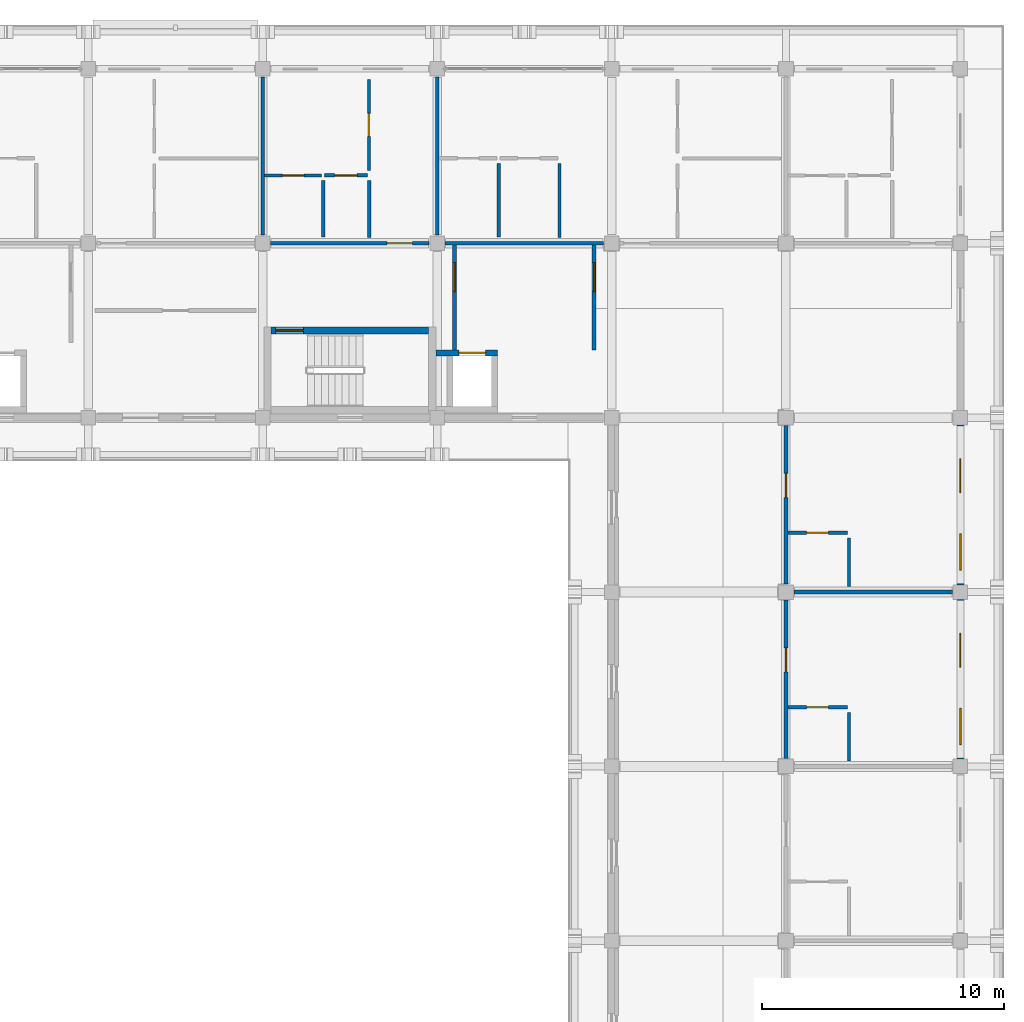
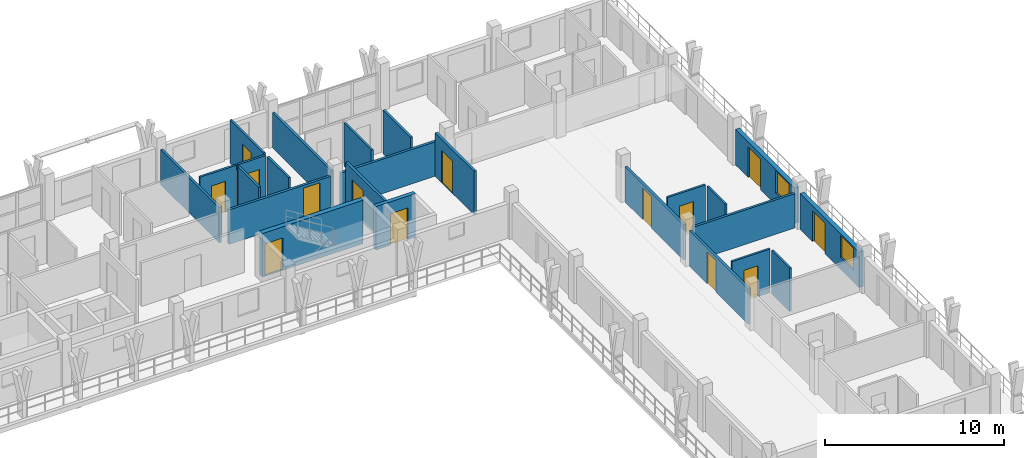
# One storey, part 136 of 157: 24 walls, 14 doors, 2 windows, 16 openings.
"""IFC4 building model written with IfcOpenShell, lengths in metres."""

import ifcopenshell
import ifcopenshell.guid

model = None  # the IFC model being written
_history = None  # IfcOwnerHistory: only IFC2X3 demands one
_inside = {}  # id of a spatial element -> (the spatial element, [elements in it])
_under = {}  # id of a project, library or spatial element -> (it, [spatial elements below it])
_declared = {}  # id of a project -> (the project, [libraries it declares])
_typed = {}  # id of a type object -> (the type object, [elements of that type])
_made_of = {}  # id of a material, layer set ... -> (it, [elements and type objects made of it])


def new_model(schema):
    """Start an empty IFC model of exactly this schema.

    Asked for "IFC4X3", IfcOpenShell would pick the latest addendum, in which some entities
    have other attributes; the version numbers below select the first issue.
    IFC2X3 requires an IfcOwnerHistory on every rooted entity: one is made here for all.
    """
    global model, _history
    if schema == "IFC4X3":
        model = ifcopenshell.file(schema_version=(4, 3, 0, 0))
    else:
        model = ifcopenshell.file(schema=schema)
    _inside.clear()
    _under.clear()
    _declared.clear()
    _typed.clear()
    _made_of.clear()
    _history = None
    if model.schema == "IFC2X3":
        org = make("IfcOrganization", Name="unknown")
        user = make(
            "IfcPersonAndOrganization",
            ThePerson=make("IfcPerson", FamilyName="unknown"),
            TheOrganization=org,
        )
        app = make(
            "IfcApplication",
            ApplicationDeveloper=org,
            Version="unknown",
            ApplicationFullName="unknown",
            ApplicationIdentifier="unknown",
        )
        _history = make(
            "IfcOwnerHistory",
            OwningUser=user,
            OwningApplication=app,
            ChangeAction="ADDED",
            CreationDate=0,
        )
    return model


def make(cls, **values):
    """One entity of the class cls with the attributes given. An attribute that is None is left unset."""
    return model.create_entity(
        cls, **{name: value for name, value in values.items() if value is not None}
    )


def rooted(cls, **values):
    """An entity with a GlobalId (a new one), such as an element, a storey or a relation."""
    return make(cls, GlobalId=ifcopenshell.guid.new(), OwnerHistory=_history, **values)


def si_unit(unit_type, name, prefix=None):
    """IfcSIUnit, for example si_unit("LENGTHUNIT", "METRE", prefix="MILLI")."""
    return make("IfcSIUnit", UnitType=unit_type, Prefix=prefix, Name=name)


def assignment(units):
    """IfcUnitAssignment: the units of a project."""
    return None if units is None else make("IfcUnitAssignment", Units=units)


def point(xyz):
    """IfcCartesianPoint."""
    return None if xyz is None else make("IfcCartesianPoint", Coordinates=xyz)


def direction(xyz):
    """IfcDirection."""
    return None if xyz is None else make("IfcDirection", DirectionRatios=xyz)


def frame(location, z_axis=None, x_axis=None):
    """IfcAxis2Placement3D, a coordinate frame: its origin and axes. An axis left out is left unset."""
    return make(
        "IfcAxis2Placement3D",
        Location=point(location),
        Axis=direction(z_axis),
        RefDirection=direction(x_axis),
    )


def frame_2d(location, x_axis=None):
    """IfcAxis2Placement2D, a coordinate frame in the plane: its origin and x axis."""
    return make(
        "IfcAxis2Placement2D", Location=point(location), RefDirection=direction(x_axis)
    )


def origin():
    """The frame at (0, 0, 0) with its axes left unset."""
    return frame((0.0, 0.0, 0.0))


def place(relative_to, where):
    """IfcLocalPlacement: puts the frame where relative to a parent placement (None: the world)."""
    return make(
        "IfcLocalPlacement", PlacementRelTo=relative_to, RelativePlacement=where
    )


def context(
    kind, dimensions, precision=None, world=None, true_north=None, identifier=None
):
    """IfcGeometricRepresentationContext, for example the 3D "Model" context."""
    return make(
        "IfcGeometricRepresentationContext",
        ContextIdentifier=identifier,
        ContextType=kind,
        CoordinateSpaceDimension=dimensions,
        Precision=precision,
        WorldCoordinateSystem=world,
        TrueNorth=true_north,
    )


def subcontext(parent, identifier, kind, view, scale=None):
    """IfcGeometricRepresentationSubContext, for example "Body" below "Model"."""
    return make(
        "IfcGeometricRepresentationSubContext",
        ContextIdentifier=identifier,
        ContextType=kind,
        ParentContext=parent,
        TargetScale=scale,
        TargetView=view,
    )


def project(units=None, contexts=None):
    """IfcProject with its units and contexts."""
    return rooted(
        "IfcProject",
        Name="project",
        RepresentationContexts=contexts,
        UnitsInContext=assignment(units),
    )


def spatial(cls, under=None, at=None, **own):
    """A site, building, storey or space (cls), placed at a placement, below another one or the project."""
    s = rooted(cls, ObjectPlacement=at, **own)
    if under is not None:
        _under.setdefault(under.id(), (under, []))[1].append(s)
    return s


def profile(cls, at=None, kind="AREA", **sizes):
    """A parametric profile (cls). Its sizes go by their IFC names, for example OverallWidth=200.0."""
    return make(cls, ProfileType=kind, Position=at, **sizes)


def rectangle(**sizes):
    """IfcRectangleProfileDef."""
    return profile("IfcRectangleProfileDef", **sizes)


def extrude(swept, where, along, depth):
    """IfcExtrudedAreaSolid: the profile swept, set in the frame where, extruded along a direction by depth."""
    return make(
        "IfcExtrudedAreaSolid",
        SweptArea=swept,
        Position=where,
        ExtrudedDirection=direction(along),
        Depth=depth,
    )


def shape(context_of_items, identifier, shape_type, items):
    """IfcShapeRepresentation: the items that make up one representation, for example the "Body"."""
    return make(
        "IfcShapeRepresentation",
        ContextOfItems=context_of_items,
        RepresentationIdentifier=identifier,
        RepresentationType=shape_type,
        Items=items,
    )


def material(Name=None, Category=None):
    """IfcMaterial."""
    return make("IfcMaterial", Name=Name, Category=Category)


def layer(
    of_material, thickness, ventilated=None, Name=None, Category=None, Priority=None
):
    """IfcMaterialLayer: one layer of a wall or slab, of a material (None: an air gap)."""
    return make(
        "IfcMaterialLayer",
        Material=of_material,
        LayerThickness=thickness,
        IsVentilated=ventilated,
        Name=Name,
        Category=Category,
        Priority=Priority,
    )


def layer_set(layers, Name=None):
    """IfcMaterialLayerSet."""
    return make("IfcMaterialLayerSet", MaterialLayers=layers, LayerSetName=Name)


def made_of(thing, what):
    """Note that an element or type object is made of a material, layer set ...; save() writes the relation."""
    if what is not None:
        _made_of.setdefault(what.id(), (what, []))[1].append(thing)
    return thing


def type_object(cls, material=None, **own):
    """A type object (cls), such as IfcWallType, which elements share."""
    return made_of(rooted(cls, **own), material)


def element(
    cls,
    number,
    at=None,
    inside=None,
    cuts=None,
    type_object=None,
    material=None,
    context=None,
    identifier="Body",
    shape_type=None,
    held_by="IfcProductDefinitionShape",
    body=None,
    shapes=None,
    **own,
):
    """One element of the class cls, such as IfcWall. Its Tag is "e" and its number.

    at: its placement. inside: the storey or other place that contains it. cuts: it is an
    opening in that element (IfcRelVoidsElement). A single representation is given by context,
    identifier, shape_type and body (its items); several are given by shapes. held_by: the class
    of the entity that holds the representations. save() writes the other relations.
    """
    e = rooted(cls, Tag="e%d" % number, ObjectPlacement=at, **own)
    if body is not None:
        shapes = [shape(context, identifier, shape_type, body)]
    if shapes is not None:
        e.Representation = make(held_by, Representations=shapes)
    if inside is not None:
        _inside.setdefault(inside.id(), (inside, []))[1].append(e)
    if cuts is not None:
        rooted(
            "IfcRelVoidsElement", RelatingBuildingElement=cuts, RelatedOpeningElement=e
        )
    if type_object is not None:
        _typed.setdefault(type_object.id(), (type_object, []))[1].append(e)
    return made_of(e, material)


def fill(opening, filler):
    """IfcRelFillsElement: the door or window that sits in an opening."""
    return rooted(
        "IfcRelFillsElement",
        RelatingOpeningElement=opening,
        RelatedBuildingElement=filler,
    )


def aggregate(whole, parts):
    """IfcRelAggregates: a whole, such as a stair, and the parts it consists of."""
    return rooted("IfcRelAggregates", RelatingObject=whole, RelatedObjects=parts)


def save(model, path):
    """Write the relations noted so far, then the file.

    IfcRelAggregates (storeys below a building ...), IfcRelContainedInSpatialStructure (elements
    in a storey), IfcRelDefinesByType, IfcRelAssociatesMaterial and IfcRelDeclares: one each for
    every whole, place, type object, material and project.
    """
    for whole, parts in _under.values():
        aggregate(whole, parts)
    for where, things in _inside.values():
        rooted(
            "IfcRelContainedInSpatialStructure",
            RelatedElements=things,
            RelatingStructure=where,
        )
    for kind, things in _typed.values():
        rooted("IfcRelDefinesByType", RelatedObjects=things, RelatingType=kind)
    for what, things in _made_of.values():
        rooted("IfcRelAssociatesMaterial", RelatedObjects=things, RelatingMaterial=what)
    for by, libraries in _declared.values():
        rooted("IfcRelDeclares", RelatingContext=by, RelatedDefinitions=libraries)
    model.write(path)


model = new_model("IFC4")

# Units and contexts
model_context = context("Model", 3, precision=1e-05, world=origin(), true_north=direction((0.0, 1.0)))
body_context = subcontext(model_context, "Body", "Model", "MODEL_VIEW")
ifc_project = project(units=[si_unit("LENGTHUNIT", "METRE"), si_unit("AREAUNIT", "SQUARE_METRE"), si_unit("VOLUMEUNIT", "CUBIC_METRE"), si_unit("PLANEANGLEUNIT", "RADIAN"), si_unit("MASSUNIT", "GRAM", prefix="KILO")], contexts=[model_context])

# Site, building, storey
site_placement = place(None, origin())
site = spatial("IfcSite", under=ifc_project, at=site_placement, CompositionType="ELEMENT")
building_placement = place(site_placement, origin())
building = spatial("IfcBuilding", under=site, at=building_placement, Name="Suanplinth Sawtooth Commons", CompositionType="ELEMENT")
storey_placement = place(building_placement, frame((0.0, 0.0, 9.0)))
storey = spatial("IfcBuildingStorey", under=building, at=storey_placement, Name="L02", CompositionType="ELEMENT", Elevation=9.0)

# Wall, opening, door
ifc_material_1 = material(Name="Concrete C40/50", Category="concrete")
ifc_layer_1 = layer(ifc_material_1, 0.300048828125, Name="Standard RC stair and lift core wall 300mm")
ifc_layer_set_1 = layer_set([ifc_layer_1], Name="Concrete C40/50")
wall_type_1 = type_object("IfcWallType", Name="W-CR02", PredefinedType="SHEAR", material=ifc_layer_set_1)
wall_1_placement = place(storey_placement, frame((158.75, 111.60009765625, 0.0), z_axis=(0.0, 0.0, 1.0), x_axis=(1.0, 0.0, 0.0)))
wall_1 = element("IfcWall", 1, at=wall_1_placement, inside=storey, type_object=wall_type_1, Name="W-L02-C-B2-STN", PredefinedType="SHEAR", context=body_context, shape_type="SweptSolid", body=[
    extrude(rectangle(XDim=6.5, YDim=0.300048828125, at=frame_2d((3.25, 0.0))), origin(), (0.0, 0.0, 1.0), 2.9599609375),
])
opening_1_placement = place(wall_1_placement, frame((0.179931640625, 0.0, 0.0)))
opening_1 = element("IfcOpeningElement", 2, at=opening_1_placement, cuts=wall_1, Name="Opening FD0232", PredefinedType="OPENING", context=body_context, shape_type="SweptSolid", body=[
    extrude(rectangle(XDim=1.14990234375, YDim=2.199951171875, at=frame_2d((0.574951171875, 1.10009765625))), frame((0.0, 0.1650390625, 0.0), z_axis=(0.0, -1.0, 0.0), x_axis=(1.0, 0.0, 0.0)), (0.0, 0.0, 1.0), 0.329833984375),
])
ifc_material_2 = material(Name="Teak hardwood fire-rated door assembly", Category="wood")
door_type_1 = type_object("IfcDoorType", Name="FD-01", OperationType="NOTDEFINED", PredefinedType="DOOR", material=ifc_material_2)
door_1_placement = place(opening_1_placement, frame((1.14990234375, 0.0, 0.0), z_axis=(0.0, 0.0, 1.0), x_axis=(-1.0, 0.0, 0.0)))
door_1 = element("IfcDoor", 3, at=door_1_placement, inside=storey, type_object=door_type_1, Name="Exit Stair Fire Door FD0232", OperationType="SINGLE_SWING_RIGHT", OverallHeight=2.199951171875, OverallWidth=1.14990234375, PredefinedType="DOOR", context=body_context, shape_type="SweptSolid", body=[
    extrude(rectangle(XDim=1.14990234375, YDim=2.199951171875, at=frame_2d((0.574951171875, 1.10009765625))), frame((0.0, 0.02490234375, 0.0), z_axis=(0.0, -1.0, 0.0), x_axis=(1.0, 0.0, 0.0)), (0.0, 0.0, 1.0), 0.050048828125),
])
fill(opening_1, door_1)

# Wall, openings, door, window
ifc_material_3 = material(Name="Precast concrete C40/50", Category="concrete")
ifc_layer_2 = layer(ifc_material_3, 0.280029296875, Name="Insulated precast architectural facade wall 280mm")
ifc_layer_set_2 = layer_set([ifc_layer_2], Name="Precast concrete C40/50")
wall_type_2 = type_object("IfcWallType", Name="W-EX01", PredefinedType="ELEMENTEDWALL", material=ifc_layer_set_2)
wall_2_placement = place(storey_placement, frame((187.199951171875, 93.89990234375, 0.0), z_axis=(0.0, 0.0, 1.0), x_axis=(0.0, 1.0, 0.0)))
wall_2 = element("IfcWall", 4, at=wall_2_placement, inside=storey, type_object=wall_type_2, Name="Facade Wall W-L02-B-E-25-13", PredefinedType="ELEMENTEDWALL", context=body_context, shape_type="SweptSolid", body=[
    extrude(rectangle(XDim=6.60009765625, YDim=0.280029296875, at=frame_2d((3.300048828125, 0.0))), origin(), (0.0, 0.0, 1.0), 2.425048828125),
])
opening_2_placement = place(wall_2_placement, frame((3.800048828125, 0.0, 0.0)))
opening_2 = element("IfcOpeningElement", 5, at=opening_2_placement, cuts=wall_2, Name="Opening ED0172", PredefinedType="OPENING", context=body_context, shape_type="SweptSolid", body=[
    extrude(rectangle(XDim=1.39990234375, YDim=2.10009765625, at=frame_2d((0.699951171875, 1.050048828125))), frame((0.0, 0.15478515625, 0.0), z_axis=(0.0, -1.0, 0.0), x_axis=(1.0, 0.0, 0.0)), (0.0, 0.0, 1.0), 0.309814453125),
])
opening_3_placement = place(wall_2_placement, frame((0.60009765625, 0.0, 0.81494140625)))
opening_3 = element("IfcOpeningElement", 6, at=opening_3_placement, cuts=wall_2, Name="Opening W0286", PredefinedType="OPENING", context=body_context, shape_type="SweptSolid", body=[
    extrude(rectangle(XDim=1.5, YDim=1.5, at=frame_2d((0.75, 0.75))), frame((0.0, 0.15478515625, 0.0), z_axis=(0.0, -1.0, 0.0), x_axis=(1.0, 0.0, 0.0)), (0.0, 0.0, 1.0), 0.309814453125),
])
ifc_material_4 = material(Name="Anodized aluminium and low-E glass", Category="aluminium")
door_type_2 = type_object("IfcDoorType", Name="SD-07", OperationType="SLIDING_TO_RIGHT", PredefinedType="DOOR", material=ifc_material_4)
door_2_placement = place(opening_2_placement, frame((1.39990234375, 0.0, 0.0), z_axis=(0.0, 0.0, 1.0), x_axis=(-1.0, 0.0, 0.0)))
door_2 = element("IfcDoor", 7, at=door_2_placement, inside=storey, type_object=door_type_2, Name="Wing Balcony Sliding Door L02-B-13", OperationType="SLIDING_TO_RIGHT", OverallHeight=2.10009765625, OverallWidth=1.39990234375, PredefinedType="DOOR", context=body_context, shape_type="SweptSolid", body=[
    extrude(rectangle(XDim=1.39990234375, YDim=2.10009765625, at=frame_2d((0.699951171875, 1.050048828125))), frame((0.0, 0.02490234375, 0.0), z_axis=(0.0, -1.0, 0.0), x_axis=(1.0, 0.0, 0.0)), (0.0, 0.0, 1.0), 0.050048828125),
])
fill(opening_2, door_2)
ifc_material_5 = material(Name="Thermally broken aluminium and low-E double glazing", Category="aluminium")
window_type = type_object("IfcWindowType", Name="WN-02", PartitioningType="DOUBLE_PANEL_VERTICAL", PredefinedType="WINDOW", material=ifc_material_5)
window_1_placement = place(opening_3_placement, origin())
window_1 = element("IfcWindow", 8, at=window_1_placement, inside=storey, type_object=window_type, Name="Wing Window L02-B-13", OverallHeight=1.5, OverallWidth=1.5, PartitioningType="DOUBLE_PANEL_VERTICAL", PredefinedType="WINDOW", context=body_context, shape_type="SweptSolid", body=[
    extrude(rectangle(XDim=1.5, YDim=1.5, at=frame_2d((0.75, 0.75))), frame((0.0, 0.030029296875, 0.0), z_axis=(0.0, -1.0, 0.0), x_axis=(1.0, 0.0, 0.0)), (0.0, 0.0, 1.0), 0.06005859375),
])
fill(opening_3, window_1)

wall_3_placement = place(storey_placement, frame((187.199951171875, 101.10009765625, 0.0), z_axis=(0.0, 0.0, 1.0), x_axis=(0.0, 1.0, 0.0)))
wall_3 = element("IfcWall", 9, at=wall_3_placement, inside=storey, type_object=wall_type_2, Name="Facade Wall W-L02-B-E-25-14", PredefinedType="ELEMENTEDWALL", context=body_context, shape_type="SweptSolid", body=[
    extrude(rectangle(XDim=6.599853515625, YDim=0.280029296875, at=frame_2d((3.2998046875, 0.0))), origin(), (0.0, 0.0, 1.0), 2.425048828125),
])
opening_4_placement = place(wall_3_placement, frame((3.800048828125, 0.0, 0.0)))
opening_4 = element("IfcOpeningElement", 10, at=opening_4_placement, cuts=wall_3, Name="Opening ED0173", PredefinedType="OPENING", context=body_context, shape_type="SweptSolid", body=[
    extrude(rectangle(XDim=1.39990234375, YDim=2.10009765625, at=frame_2d((0.699951171875, 1.050048828125))), frame((0.0, 0.15478515625, 0.0), z_axis=(0.0, -1.0, 0.0), x_axis=(1.0, 0.0, 0.0)), (0.0, 0.0, 1.0), 0.309814453125),
])
opening_5_placement = place(wall_3_placement, frame((0.60009765625, 0.0, 0.81494140625)))
opening_5 = element("IfcOpeningElement", 11, at=opening_5_placement, cuts=wall_3, Name="Opening W0287", PredefinedType="OPENING", context=body_context, shape_type="SweptSolid", body=[
    extrude(rectangle(XDim=1.5, YDim=1.5, at=frame_2d((0.75, 0.75))), frame((0.0, 0.15478515625, 0.0), z_axis=(0.0, -1.0, 0.0), x_axis=(1.0, 0.0, 0.0)), (0.0, 0.0, 1.0), 0.309814453125),
])
door_3_placement = place(opening_4_placement, frame((1.39990234375, 0.0, 0.0), z_axis=(0.0, 0.0, 1.0), x_axis=(-1.0, 0.0, 0.0)))
door_3 = element("IfcDoor", 12, at=door_3_placement, inside=storey, type_object=door_type_2, Name="Wing Balcony Sliding Door L02-B-14", OperationType="SLIDING_TO_RIGHT", OverallHeight=2.10009765625, OverallWidth=1.39990234375, PredefinedType="DOOR", context=body_context, shape_type="SweptSolid", body=[
    extrude(rectangle(XDim=1.39990234375, YDim=2.10009765625, at=frame_2d((0.699951171875, 1.050048828125))), frame((0.0, 0.02490234375, 0.0), z_axis=(0.0, -1.0, 0.0), x_axis=(1.0, 0.0, 0.0)), (0.0, 0.0, 1.0), 0.050048828125),
])
fill(opening_4, door_3)
window_2_placement = place(opening_5_placement, origin())
window_2 = element("IfcWindow", 13, at=window_2_placement, inside=storey, type_object=window_type, Name="Wing Window L02-B-14", OverallHeight=1.5, OverallWidth=1.5, PartitioningType="DOUBLE_PANEL_VERTICAL", PredefinedType="WINDOW", context=body_context, shape_type="SweptSolid", body=[
    extrude(rectangle(XDim=1.5, YDim=1.5, at=frame_2d((0.75, 0.75))), frame((0.0, 0.030029296875, 0.0), z_axis=(0.0, -1.0, 0.0), x_axis=(1.0, 0.0, 0.0)), (0.0, 0.0, 1.0), 0.06005859375),
])
fill(opening_5, window_2)

# Wall, opening, door
ifc_layer_3 = layer(ifc_material_3, 0.159912109375, Name="Fire-rated corridor and lobby wall 160mm")
ifc_layer_set_3 = layer_set([ifc_layer_3], Name="Precast concrete C40/50")
wall_type_3 = type_object("IfcWallType", Name="W-FW01", PredefinedType="PARTITIONING", material=ifc_layer_set_3)
wall_4_placement = place(storey_placement, frame((166.320068359375, 110.800048828125, 0.0), z_axis=(0.0, 0.0, 1.0), x_axis=(0.0, 1.0, 0.0)))
wall_4 = element("IfcWall", 14, at=wall_4_placement, inside=storey, type_object=wall_type_3, Name="W-L02-C-B2-LOB-W", PredefinedType="PARTITIONING", context=body_context, shape_type="SweptSolid", body=[
    extrude(rectangle(XDim=4.320068359375, YDim=0.159912109375, at=frame_2d((2.16015625, 0.0))), origin(), (0.0, 0.0, 1.0), 2.9599609375),
])
opening_6_placement = place(wall_4_placement, frame((2.39990234375, 0.0, 0.0)))
opening_6 = element("IfcOpeningElement", 15, at=opening_6_placement, cuts=wall_4, Name="Opening FD0233", PredefinedType="OPENING", context=body_context, shape_type="SweptSolid", body=[
    extrude(rectangle(XDim=1.199951171875, YDim=2.199951171875, at=frame_2d((0.60009765625, 1.10009765625))), frame((0.0, 0.0947265625, 0.0), z_axis=(0.0, -1.0, 0.0), x_axis=(1.0, 0.0, 0.0)), (0.0, 0.0, 1.0), 0.189697265625),
])
door_type_3 = type_object("IfcDoorType", Name="FD-02", OperationType="NOTDEFINED", PredefinedType="DOOR", material=ifc_material_2)
door_4_placement = place(opening_6_placement, origin())
door_4 = element("IfcDoor", 16, at=door_4_placement, inside=storey, type_object=door_type_3, Name="Lobby Fire Door FD0233", OperationType="SINGLE_SWING_LEFT", OverallHeight=2.199951171875, OverallWidth=1.199951171875, PredefinedType="DOOR", context=body_context, shape_type="SweptSolid", body=[
    extrude(rectangle(XDim=1.199951171875, YDim=2.199951171875, at=frame_2d((0.60009765625, 1.10009765625))), frame((0.0, 0.02490234375, 0.0), z_axis=(0.0, -1.0, 0.0), x_axis=(1.0, 0.0, 0.0)), (0.0, 0.0, 1.0), 0.050048828125),
])
fill(opening_6, door_4)

wall_5_placement = place(storey_placement, frame((172.080078125, 110.800048828125, 0.0), z_axis=(0.0, 0.0, 1.0), x_axis=(0.0, 1.0, 0.0)))
wall_5 = element("IfcWall", 17, at=wall_5_placement, inside=storey, type_object=wall_type_3, Name="W-L02-C-B2-LOB-E", PredefinedType="PARTITIONING", context=body_context, shape_type="SweptSolid", body=[
    extrude(rectangle(XDim=4.320068359375, YDim=0.159912109375, at=frame_2d((2.16015625, 0.0))), origin(), (0.0, 0.0, 1.0), 2.9599609375),
])
opening_7_placement = place(wall_5_placement, frame((2.39990234375, 0.0, 0.0)))
opening_7 = element("IfcOpeningElement", 18, at=opening_7_placement, cuts=wall_5, Name="Opening FD0234", PredefinedType="OPENING", context=body_context, shape_type="SweptSolid", body=[
    extrude(rectangle(XDim=1.199951171875, YDim=2.199951171875, at=frame_2d((0.60009765625, 1.10009765625))), frame((0.0, 0.0947265625, 0.0), z_axis=(0.0, -1.0, 0.0), x_axis=(1.0, 0.0, 0.0)), (0.0, 0.0, 1.0), 0.189697265625),
])
door_5_placement = place(opening_7_placement, frame((1.199951171875, 0.0, 0.0), z_axis=(0.0, 0.0, 1.0), x_axis=(-1.0, 0.0, 0.0)))
door_5 = element("IfcDoor", 19, at=door_5_placement, inside=storey, type_object=door_type_3, Name="Lobby Fire Door FD0234", OperationType="SINGLE_SWING_RIGHT", OverallHeight=2.199951171875, OverallWidth=1.199951171875, PredefinedType="DOOR", context=body_context, shape_type="SweptSolid", body=[
    extrude(rectangle(XDim=1.199951171875, YDim=2.199951171875, at=frame_2d((0.60009765625, 1.10009765625))), frame((0.0, 0.02490234375, 0.0), z_axis=(0.0, -1.0, 0.0), x_axis=(1.0, 0.0, 0.0)), (0.0, 0.0, 1.0), 0.050048828125),
])
fill(opening_7, door_5)

wall_6_placement = place(storey_placement, frame((158.72998046875, 115.199951171875, 0.0), z_axis=(0.0, 0.0, 1.0), x_axis=(1.0, 0.0, 0.0)))
wall_6 = element("IfcWall", 20, at=wall_6_placement, inside=storey, type_object=wall_type_3, Name="W-B-L02-U04-COR", PredefinedType="PARTITIONING", context=body_context, shape_type="SweptSolid", body=[
    extrude(rectangle(XDim=6.5400390625, YDim=0.159912109375, at=frame_2d((3.27001953125, 0.0))), origin(), (0.0, 0.0, 1.0), 2.344970703125),
])
opening_8_placement = place(wall_6_placement, frame((4.794921875, 0.0, 0.0)))
opening_8 = element("IfcOpeningElement", 21, at=opening_8_placement, cuts=wall_6, Name="Opening FD0759", PredefinedType="OPENING", context=body_context, shape_type="SweptSolid", body=[
    extrude(rectangle(XDim=1.050048828125, YDim=2.14990234375, at=frame_2d((0.52490234375, 1.074951171875))), frame((0.0, 0.0947265625, 0.0), z_axis=(0.0, -1.0, 0.0), x_axis=(1.0, 0.0, 0.0)), (0.0, 0.0, 1.0), 0.189697265625),
])
door_type_4 = type_object("IfcDoorType", Name="FD-04", OperationType="NOTDEFINED", PredefinedType="DOOR", material=ifc_material_2)
door_6_placement = place(opening_8_placement, origin())
door_6 = element("IfcDoor", 22, at=door_6_placement, inside=storey, type_object=door_type_4, Name="Unit Entrance Door FD0759", OperationType="SINGLE_SWING_LEFT", OverallHeight=2.14990234375, OverallWidth=1.050048828125, PredefinedType="DOOR", context=body_context, shape_type="SweptSolid", body=[
    extrude(rectangle(XDim=1.050048828125, YDim=2.14990234375, at=frame_2d((0.52490234375, 1.074951171875))), frame((0.0, 0.02490234375, 0.0), z_axis=(0.0, -1.0, 0.0), x_axis=(1.0, 0.0, 0.0)), (0.0, 0.0, 1.0), 0.050048828125),
])
fill(opening_8, door_6)

# Wall
wall_7_placement = place(storey_placement, frame((165.929931640625, 115.199951171875, 0.0), z_axis=(0.0, 0.0, 1.0), x_axis=(1.0, 0.0, 0.0)))
element("IfcWall", 23, at=wall_7_placement, inside=storey, type_object=wall_type_3, Name="W-B-L02-U05-COR-S1", PredefinedType="PARTITIONING", context=body_context, shape_type="SweptSolid", body=[
    extrude(rectangle(XDim=6.5400390625, YDim=0.159912109375, at=frame_2d((3.27001953125, 0.0))), origin(), (0.0, 0.0, 1.0), 2.344970703125),
])

# Wall, opening, door
wall_8_placement = place(storey_placement, frame((180.0, 93.929931640625, 0.0), z_axis=(0.0, 0.0, 1.0), x_axis=(0.0, 1.0, 0.0)))
wall_8 = element("IfcWall", 24, at=wall_8_placement, inside=storey, type_object=wall_type_3, Name="W-B-L02-L03-COR", PredefinedType="PARTITIONING", context=body_context, shape_type="SweptSolid", body=[
    extrude(rectangle(XDim=6.5400390625, YDim=0.159912109375, at=frame_2d((3.27001953125, 0.0))), origin(), (0.0, 0.0, 1.0), 2.39501953125),
])
opening_9_placement = place(wall_8_placement, frame((3.570068359375, 0.0, 0.0)))
opening_9 = element("IfcOpeningElement", 25, at=opening_9_placement, cuts=wall_8, Name="Opening FD0781", PredefinedType="OPENING", context=body_context, shape_type="SweptSolid", body=[
    extrude(rectangle(XDim=1.0, YDim=2.14990234375, at=frame_2d((0.5, 1.074951171875))), frame((0.0, 0.0947265625, 0.0), z_axis=(0.0, -1.0, 0.0), x_axis=(1.0, 0.0, 0.0)), (0.0, 0.0, 1.0), 0.189697265625),
])
door_type_5 = type_object("IfcDoorType", Name="FD-03", OperationType="NOTDEFINED", PredefinedType="DOOR", material=ifc_material_2)
door_7_placement = place(opening_9_placement, frame((1.0, 0.0, 0.0), z_axis=(0.0, 0.0, 1.0), x_axis=(-1.0, 0.0, 0.0)))
door_7 = element("IfcDoor", 26, at=door_7_placement, inside=storey, type_object=door_type_5, Name="Wing Unit Entrance Door FD0781", OperationType="SINGLE_SWING_LEFT", OverallHeight=2.14990234375, OverallWidth=1.0, PredefinedType="DOOR", context=body_context, shape_type="SweptSolid", body=[
    extrude(rectangle(XDim=1.0, YDim=2.14990234375, at=frame_2d((0.5, 1.074951171875))), frame((0.0, 0.02490234375, 0.0), z_axis=(0.0, -1.0, 0.0), x_axis=(1.0, 0.0, 0.0)), (0.0, 0.0, 1.0), 0.050048828125),
])
fill(opening_9, door_7)

wall_9_placement = place(storey_placement, frame((180.0, 101.1298828125, 0.0), z_axis=(0.0, 0.0, 1.0), x_axis=(0.0, 1.0, 0.0)))
wall_9 = element("IfcWall", 27, at=wall_9_placement, inside=storey, type_object=wall_type_3, Name="W-B-L02-L04-COR", PredefinedType="PARTITIONING", context=body_context, shape_type="SweptSolid", body=[
    extrude(rectangle(XDim=6.5400390625, YDim=0.159912109375, at=frame_2d((3.27001953125, 0.0))), origin(), (0.0, 0.0, 1.0), 2.39501953125),
])
opening_10_placement = place(wall_9_placement, frame((3.570068359375, 0.0, 0.0)))
opening_10 = element("IfcOpeningElement", 28, at=opening_10_placement, cuts=wall_9, Name="Opening FD0784", PredefinedType="OPENING", context=body_context, shape_type="SweptSolid", body=[
    extrude(rectangle(XDim=1.0, YDim=2.14990234375, at=frame_2d((0.5, 1.074951171875))), frame((0.0, 0.0947265625, 0.0), z_axis=(0.0, -1.0, 0.0), x_axis=(1.0, 0.0, 0.0)), (0.0, 0.0, 1.0), 0.189697265625),
])
door_8_placement = place(opening_10_placement, frame((1.0, 0.0, 0.0), z_axis=(0.0, 0.0, 1.0), x_axis=(-1.0, 0.0, 0.0)))
door_8 = element("IfcDoor", 29, at=door_8_placement, inside=storey, type_object=door_type_5, Name="Wing Unit Entrance Door FD0784", OperationType="SINGLE_SWING_RIGHT", OverallHeight=2.14990234375, OverallWidth=1.0, PredefinedType="DOOR", context=body_context, shape_type="SweptSolid", body=[
    extrude(rectangle(XDim=1.0, YDim=2.14990234375, at=frame_2d((0.5, 1.074951171875))), frame((0.0, 0.02490234375, 0.0), z_axis=(0.0, -1.0, 0.0), x_axis=(1.0, 0.0, 0.0)), (0.0, 0.0, 1.0), 0.050048828125),
])
fill(opening_10, door_8)

# Walls
ifc_layer_4 = layer(ifc_material_3, 0.14990234375, Name="Acoustic precast party demising wall 150mm")
ifc_layer_set_4 = layer_set([ifc_layer_4], Name="Precast concrete C40/50")
wall_type_4 = type_object("IfcWallType", Name="W-FW02", PredefinedType="PARTITIONING", material=ifc_layer_set_4)
for number, where, z_axis, x_axis, name in (
    (30, (158.39990234375, 115.530029296875, 0.0), (0.0, 0.0, 1.0), (0.0, 1.0, 0.0), "W-B-L02-U03-PTY"),
    (31, (165.60009765625, 115.530029296875, 0.0), (0.0, 0.0, 1.0), (0.0, 1.0, 0.0), "W-B-L02-U04-PTY"),
):
    element("IfcWall", number, at=place(storey_placement, frame(where, z_axis=z_axis, x_axis=x_axis)), inside=storey, type_object=wall_type_4, Name=name, PredefinedType="PARTITIONING", context=body_context, shape_type="SweptSolid", body=[
        extrude(rectangle(XDim=6.5400390625, YDim=0.14990234375, at=frame_2d((3.27001953125, 0.0))), origin(), (0.0, 0.0, 1.0), 2.39501953125),
    ])
wall_10_placement = place(storey_placement, frame((180.330078125, 100.800048828125, 0.0), z_axis=(0.0, 0.0, 1.0), x_axis=(1.0, 0.0, 0.0)))
element("IfcWall", 32, at=wall_10_placement, inside=storey, type_object=wall_type_4, Name="W-B-L02-L03-PTY", PredefinedType="PARTITIONING", context=body_context, shape_type="SweptSolid", body=[
    extrude(rectangle(XDim=6.5400390625, YDim=0.14990234375, at=frame_2d((3.27001953125, 0.0))), origin(), (0.0, 0.0, 1.0), 2.344970703125),
])

# Wall, opening, door
ifc_material_6 = material(Name="Gypsum plasterboard on steel stud", Category="steel")
ifc_layer_5 = layer(ifc_material_6, 0.139892578125, Name="Fire-rated kitchen partition 140mm")
ifc_layer_set_5 = layer_set([ifc_layer_5], Name="Gypsum plasterboard on steel stud")
wall_type_5 = type_object("IfcWallType", Name="W-PT01", PredefinedType="PARTITIONING", material=ifc_layer_set_5)
wall_11_placement = place(storey_placement, frame((160.949951171875, 118.0, 0.0), z_axis=(0.0, 0.0, 1.0), x_axis=(1.0, 0.0, 0.0)))
wall_11 = element("IfcWall", 33, at=wall_11_placement, inside=storey, type_object=wall_type_5, Name="W-B-L02-U04-KIT1", PredefinedType="PARTITIONING", context=body_context, shape_type="SweptSolid", body=[
    extrude(rectangle(XDim=1.77001953125, YDim=0.139892578125, at=frame_2d((0.885009765625, 0.0))), origin(), (0.0, 0.0, 1.0), 2.9599609375),
])
opening_11_placement = place(wall_11_placement, frame((0.419921875, 0.0, 0.0)))
opening_11 = element("IfcOpeningElement", 34, at=opening_11_placement, cuts=wall_11, Name="Opening D0761", PredefinedType="OPENING", context=body_context, shape_type="SweptSolid", body=[
    extrude(rectangle(XDim=0.929931640625, YDim=2.139892578125, at=frame_2d((0.46484375, 1.06982421875))), frame((0.0, 0.0849609375, 0.0), z_axis=(0.0, -1.0, 0.0), x_axis=(1.0, 0.0, 0.0)), (0.0, 0.0, 1.0), 0.169677734375),
])
ifc_material_7 = material(Name="Teak hardwood", Category="wood")
door_type_6 = type_object("IfcDoorType", Name="D-19", OperationType="NOTDEFINED", PredefinedType="DOOR", material=ifc_material_7)
door_9_placement = place(opening_11_placement, frame((0.929931640625, 0.0, 0.0), z_axis=(0.0, 0.0, 1.0), x_axis=(-1.0, 0.0, 0.0)))
door_9 = element("IfcDoor", 35, at=door_9_placement, inside=storey, type_object=door_type_6, Name="Kitchen Door D0761", OperationType="SINGLE_SWING_LEFT", OverallHeight=2.139892578125, OverallWidth=0.929931640625, PredefinedType="DOOR", context=body_context, shape_type="SweptSolid", body=[
    extrude(rectangle(XDim=0.929931640625, YDim=2.139892578125, at=frame_2d((0.46484375, 1.06982421875))), frame((0.0, 0.02490234375, 0.0), z_axis=(0.0, -1.0, 0.0), x_axis=(1.0, 0.0, 0.0)), (0.0, 0.0, 1.0), 0.050048828125),
])
fill(opening_11, door_9)

# Walls
wall_12_placement = place(storey_placement, frame((162.7900390625, 115.429931640625, 0.0), z_axis=(0.0, 0.0, 1.0), x_axis=(0.0, 1.0, 0.0)))
element("IfcWall", 36, at=wall_12_placement, inside=storey, type_object=wall_type_5, Name="W-B-L02-U04-KIT2", PredefinedType="PARTITIONING", context=body_context, shape_type="SweptSolid", body=[
    extrude(rectangle(XDim=2.35009765625, YDim=0.139892578125, at=frame_2d((1.175048828125, 0.0))), origin(), (0.0, 0.0, 1.0), 2.9599609375),
])
wall_13_placement = place(storey_placement, frame((170.64990234375, 115.429931640625, 0.0), z_axis=(0.0, 0.0, 1.0), x_axis=(0.0, 1.0, 0.0)))
element("IfcWall", 37, at=wall_13_placement, inside=storey, type_object=wall_type_5, Name="W-B-L02-U05-KIT2", PredefinedType="PARTITIONING", context=body_context, shape_type="SweptSolid", body=[
    extrude(rectangle(XDim=3.06005859375, YDim=0.139892578125, at=frame_2d((1.530029296875, 0.0))), origin(), (0.0, 0.0, 1.0), 2.9599609375),
])

# Wall, opening, door
ifc_layer_6 = layer(ifc_material_6, 0.1298828125, Name="Moisture-resistant bathroom partition 130mm")
ifc_layer_set_6 = layer_set([ifc_layer_6], Name="Gypsum plasterboard on steel stud")
wall_type_6 = type_object("IfcWallType", Name="W-PT02", PredefinedType="PARTITIONING", material=ifc_layer_set_6)
wall_14_placement = place(storey_placement, frame((158.47998046875, 117.9951171875, 0.0), z_axis=(0.0, 0.0, 1.0), x_axis=(1.0, 0.0, 0.0)))
wall_14 = element("IfcWall", 38, at=wall_14_placement, inside=storey, type_object=wall_type_6, Name="W-B-L02-U04-BTH1", PredefinedType="PARTITIONING", context=body_context, shape_type="SweptSolid", body=[
    extrude(rectangle(XDim=2.35009765625, YDim=0.1298828125, at=frame_2d((1.175048828125, 0.0))), origin(), (0.0, 0.0, 1.0), 2.9599609375),
])
opening_12_placement = place(wall_14_placement, frame((0.72509765625, 0.0, 0.0)))
opening_12 = element("IfcOpeningElement", 39, at=opening_12_placement, cuts=wall_14, Name="Opening D0760", PredefinedType="OPENING", context=body_context, shape_type="SweptSolid", body=[
    extrude(rectangle(XDim=0.89990234375, YDim=2.10009765625, at=frame_2d((0.449951171875, 1.050048828125))), frame((0.0, 0.079833984375, 0.0), z_axis=(0.0, -1.0, 0.0), x_axis=(1.0, 0.0, 0.0)), (0.0, 0.0, 1.0), 0.15966796875),
])
door_type_7 = type_object("IfcDoorType", Name="D-01", OperationType="NOTDEFINED", PredefinedType="DOOR", material=ifc_material_7)
door_10_placement = place(opening_12_placement, frame((0.89990234375, 0.0, 0.0), z_axis=(0.0, 0.0, 1.0), x_axis=(-1.0, 0.0, 0.0)))
door_10 = element("IfcDoor", 40, at=door_10_placement, inside=storey, type_object=door_type_7, Name="Bathroom Door D0760", OperationType="SINGLE_SWING_RIGHT", OverallHeight=2.10009765625, OverallWidth=0.89990234375, PredefinedType="DOOR", context=body_context, shape_type="SweptSolid", body=[
    extrude(rectangle(XDim=0.89990234375, YDim=2.10009765625, at=frame_2d((0.449951171875, 1.050048828125))), frame((0.0, 0.02490234375, 0.0), z_axis=(0.0, -1.0, 0.0), x_axis=(1.0, 0.0, 0.0)), (0.0, 0.0, 1.0), 0.050048828125),
])
fill(opening_12, door_10)

# Walls
wall_15_placement = place(storey_placement, frame((160.89501953125, 115.4599609375, 0.0), z_axis=(0.0, 0.0, 1.0), x_axis=(0.0, 1.0, 0.0)))
element("IfcWall", 41, at=wall_15_placement, inside=storey, type_object=wall_type_6, Name="W-B-L02-U04-BTH2", PredefinedType="PARTITIONING", context=body_context, shape_type="SweptSolid", body=[
    extrude(rectangle(XDim=2.330078125, YDim=0.1298828125, at=frame_2d((1.1650390625, 0.0))), origin(), (0.0, 0.0, 1.0), 2.9599609375),
])
wall_16_placement = place(storey_placement, frame((168.14501953125, 115.4599609375, 0.0), z_axis=(0.0, 0.0, 1.0), x_axis=(0.0, 1.0, 0.0)))
element("IfcWall", 42, at=wall_16_placement, inside=storey, type_object=wall_type_6, Name="W-B-L02-U05-BTH2", PredefinedType="PARTITIONING", context=body_context, shape_type="SweptSolid", body=[
    extrude(rectangle(XDim=3.0400390625, YDim=0.1298828125, at=frame_2d((1.52001953125, 0.0))), origin(), (0.0, 0.0, 1.0), 2.9599609375),
])

# Wall, opening, door
wall_17_placement = place(storey_placement, frame((180.080078125, 96.044921875, 0.0), z_axis=(0.0, 0.0, 1.0), x_axis=(1.0, 0.0, 0.0)))
wall_17 = element("IfcWall", 43, at=wall_17_placement, inside=storey, type_object=wall_type_6, Name="W-B-L02-L03-BTH1", PredefinedType="PARTITIONING", context=body_context, shape_type="SweptSolid", body=[
    extrude(rectangle(XDim=2.449951171875, YDim=0.1298828125, at=frame_2d((1.22509765625, 0.0))), origin(), (0.0, 0.0, 1.0), 2.9599609375),
])
opening_13_placement = place(wall_17_placement, frame((0.77490234375, 0.0, 0.0)))
opening_13 = element("IfcOpeningElement", 44, at=opening_13_placement, cuts=wall_17, Name="Opening D0782", PredefinedType="OPENING", context=body_context, shape_type="SweptSolid", body=[
    extrude(rectangle(XDim=0.89990234375, YDim=2.10009765625, at=frame_2d((0.449951171875, 1.050048828125))), frame((0.0, 0.079833984375, 0.0), z_axis=(0.0, -1.0, 0.0), x_axis=(1.0, 0.0, 0.0)), (0.0, 0.0, 1.0), 0.15966796875),
])
door_11_placement = place(opening_13_placement, frame((0.89990234375, 0.0, 0.0), z_axis=(0.0, 0.0, 1.0), x_axis=(-1.0, 0.0, 0.0)))
door_11 = element("IfcDoor", 45, at=door_11_placement, inside=storey, type_object=door_type_7, Name="Bathroom Door D0782", OperationType="SINGLE_SWING_RIGHT", OverallHeight=2.10009765625, OverallWidth=0.89990234375, PredefinedType="DOOR", context=body_context, shape_type="SweptSolid", body=[
    extrude(rectangle(XDim=0.89990234375, YDim=2.10009765625, at=frame_2d((0.449951171875, 1.050048828125))), frame((0.0, 0.02490234375, 0.0), z_axis=(0.0, -1.0, 0.0), x_axis=(1.0, 0.0, 0.0)), (0.0, 0.0, 1.0), 0.050048828125),
])
fill(opening_13, door_11)

# Wall
wall_18_placement = place(storey_placement, frame((182.594970703125, 93.830078125, 0.0), z_axis=(0.0, 0.0, 1.0), x_axis=(0.0, 1.0, 0.0)))
element("IfcWall", 46, at=wall_18_placement, inside=storey, type_object=wall_type_6, Name="W-B-L02-L03-BTH2", PredefinedType="PARTITIONING", context=body_context, shape_type="SweptSolid", body=[
    extrude(rectangle(XDim=2.0, YDim=0.1298828125, at=frame_2d((1.0, 0.0))), origin(), (0.0, 0.0, 1.0), 2.9599609375),
])

# Wall, opening, door
wall_19_placement = place(storey_placement, frame((180.080078125, 103.2451171875, 0.0), z_axis=(0.0, 0.0, 1.0), x_axis=(1.0, 0.0, 0.0)))
wall_19 = element("IfcWall", 47, at=wall_19_placement, inside=storey, type_object=wall_type_6, Name="W-B-L02-L04-BTH1", PredefinedType="PARTITIONING", context=body_context, shape_type="SweptSolid", body=[
    extrude(rectangle(XDim=2.449951171875, YDim=0.1298828125, at=frame_2d((1.22509765625, 0.0))), origin(), (0.0, 0.0, 1.0), 2.9599609375),
])
opening_14_placement = place(wall_19_placement, frame((0.77490234375, 0.0, 0.0)))
opening_14 = element("IfcOpeningElement", 48, at=opening_14_placement, cuts=wall_19, Name="Opening D0785", PredefinedType="OPENING", context=body_context, shape_type="SweptSolid", body=[
    extrude(rectangle(XDim=0.89990234375, YDim=2.10009765625, at=frame_2d((0.449951171875, 1.050048828125))), frame((0.0, 0.079833984375, 0.0), z_axis=(0.0, -1.0, 0.0), x_axis=(1.0, 0.0, 0.0)), (0.0, 0.0, 1.0), 0.15966796875),
])
door_12_placement = place(opening_14_placement, frame((0.89990234375, 0.0, 0.0), z_axis=(0.0, 0.0, 1.0), x_axis=(-1.0, 0.0, 0.0)))
door_12 = element("IfcDoor", 49, at=door_12_placement, inside=storey, type_object=door_type_7, Name="Bathroom Door D0785", OperationType="SINGLE_SWING_LEFT", OverallHeight=2.10009765625, OverallWidth=0.89990234375, PredefinedType="DOOR", context=body_context, shape_type="SweptSolid", body=[
    extrude(rectangle(XDim=0.89990234375, YDim=2.10009765625, at=frame_2d((0.449951171875, 1.050048828125))), frame((0.0, 0.02490234375, 0.0), z_axis=(0.0, -1.0, 0.0), x_axis=(1.0, 0.0, 0.0)), (0.0, 0.0, 1.0), 0.050048828125),
])
fill(opening_14, door_12)

# Wall
wall_20_placement = place(storey_placement, frame((182.594970703125, 101.030029296875, 0.0), z_axis=(0.0, 0.0, 1.0), x_axis=(0.0, 1.0, 0.0)))
element("IfcWall", 50, at=wall_20_placement, inside=storey, type_object=wall_type_6, Name="W-B-L02-L04-BTH2", PredefinedType="PARTITIONING", context=body_context, shape_type="SweptSolid", body=[
    extrude(rectangle(XDim=2.0, YDim=0.1298828125, at=frame_2d((1.0, 0.0))), origin(), (0.0, 0.0, 1.0), 2.9599609375),
])

# Wall, opening, door
ifc_layer_7 = layer(ifc_material_6, 0.1201171875, Name="Acoustic bedroom partition 120mm")
ifc_layer_set_7 = layer_set([ifc_layer_7], Name="Gypsum plasterboard on steel stud")
wall_type_7 = type_object("IfcWallType", Name="W-PT03", PredefinedType="PARTITIONING", material=ifc_layer_set_7)
wall_21_placement = place(storey_placement, frame((162.780029296875, 118.2099609375, 0.0), z_axis=(0.0, 0.0, 1.0), x_axis=(0.0, 1.0, 0.0)))
wall_21 = element("IfcWall", 51, at=wall_21_placement, inside=storey, type_object=wall_type_7, Name="W-B-L02-U04-BED1", PredefinedType="PARTITIONING", context=body_context, shape_type="SweptSolid", body=[
    extrude(rectangle(XDim=3.75, YDim=0.1201171875, at=frame_2d((1.875, 0.0))), origin(), (0.0, 0.0, 1.0), 2.9599609375),
])
opening_15_placement = place(wall_21_placement, frame((1.39990234375, 0.0, 0.0)))
opening_15 = element("IfcOpeningElement", 52, at=opening_15_placement, cuts=wall_21, Name="Opening D0762", PredefinedType="OPENING", context=body_context, shape_type="SweptSolid", body=[
    extrude(rectangle(XDim=0.949951171875, YDim=2.14990234375, at=frame_2d((0.47509765625, 1.074951171875))), frame((0.0, 0.074951171875, 0.0), z_axis=(0.0, -1.0, 0.0), x_axis=(1.0, 0.0, 0.0)), (0.0, 0.0, 1.0), 0.14990234375),
])
door_type_8 = type_object("IfcDoorType", Name="D-03", OperationType="NOTDEFINED", PredefinedType="DOOR", material=ifc_material_7)
door_13_placement = place(opening_15_placement, origin())
door_13 = element("IfcDoor", 53, at=door_13_placement, inside=storey, type_object=door_type_8, Name="Bedroom Door D0762", OperationType="SINGLE_SWING_RIGHT", OverallHeight=2.14990234375, OverallWidth=0.949951171875, PredefinedType="DOOR", context=body_context, shape_type="SweptSolid", body=[
    extrude(rectangle(XDim=0.949951171875, YDim=2.14990234375, at=frame_2d((0.47509765625, 1.074951171875))), frame((0.0, 0.02490234375, 0.0), z_axis=(0.0, -1.0, 0.0), x_axis=(1.0, 0.0, 0.0)), (0.0, 0.0, 1.0), 0.050048828125),
])
fill(opening_15, door_13)

ifc_layer_8 = layer(ifc_material_3, 0.25, Name="Precast structural shear wall 250mm")
ifc_layer_set_8 = layer_set([ifc_layer_8], Name="Precast concrete C40/50")
wall_type_8 = type_object("IfcWallType", Name="W-SH01", PredefinedType="SHEAR", material=ifc_layer_set_8)
wall_22_placement = place(storey_placement, frame((165.550048828125, 110.675048828125, 0.0), z_axis=(0.0, 0.0, 1.0), x_axis=(1.0, 0.0, 0.0)))
wall_22 = element("IfcWall", 54, at=wall_22_placement, inside=storey, type_object=wall_type_8, Name="W-L02-LF4-N", PredefinedType="SHEAR", context=body_context, shape_type="SweptSolid", body=[
    extrude(rectangle(XDim=2.550048828125, YDim=0.25, at=frame_2d((1.27490234375, 0.0))), origin(), (0.0, 0.0, 1.0), 2.9599609375),
])
opening_16_placement = place(wall_22_placement, frame((0.949951171875, 0.0, 0.0)))
opening_16 = element("IfcOpeningElement", 55, at=opening_16_placement, cuts=wall_22, Name="Opening LD0235", PredefinedType="OPENING", context=body_context, shape_type="SweptSolid", body=[
    extrude(rectangle(XDim=1.10009765625, YDim=2.14990234375, at=frame_2d((0.550048828125, 1.074951171875))), frame((0.0, 0.139892578125, 0.0), z_axis=(0.0, -1.0, 0.0), x_axis=(1.0, 0.0, 0.0)), (0.0, 0.0, 1.0), 0.27978515625),
])
ifc_material_8 = material(Name="Stainless steel Grade 304", Category="steel")
door_type_9 = type_object("IfcDoorType", Name="LD-01", OperationType="SLIDING_TO_LEFT", PredefinedType="DOOR", material=ifc_material_8)
door_14_placement = place(opening_16_placement, origin())
door_14 = element("IfcDoor", 56, at=door_14_placement, inside=storey, type_object=door_type_9, Name="Lift Landing Sliding Door LF4 L02", OperationType="SLIDING_TO_LEFT", OverallHeight=2.14990234375, OverallWidth=1.10009765625, PredefinedType="DOOR", context=body_context, shape_type="SweptSolid", body=[
    extrude(rectangle(XDim=1.10009765625, YDim=2.14990234375, at=frame_2d((0.550048828125, 1.074951171875))), frame((0.0, 0.02490234375, 0.0), z_axis=(0.0, -1.0, 0.0), x_axis=(1.0, 0.0, 0.0)), (0.0, 0.0, 1.0), 0.050048828125),
])
fill(opening_16, door_14)

save(model, "model.ifc")
